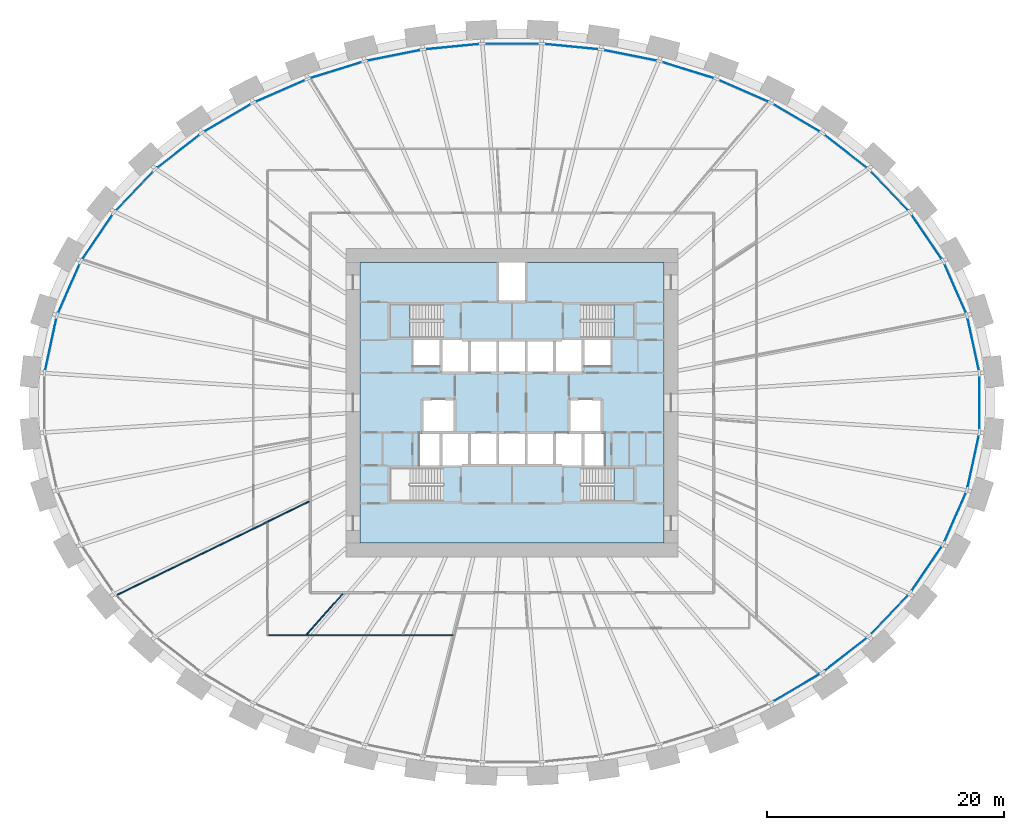
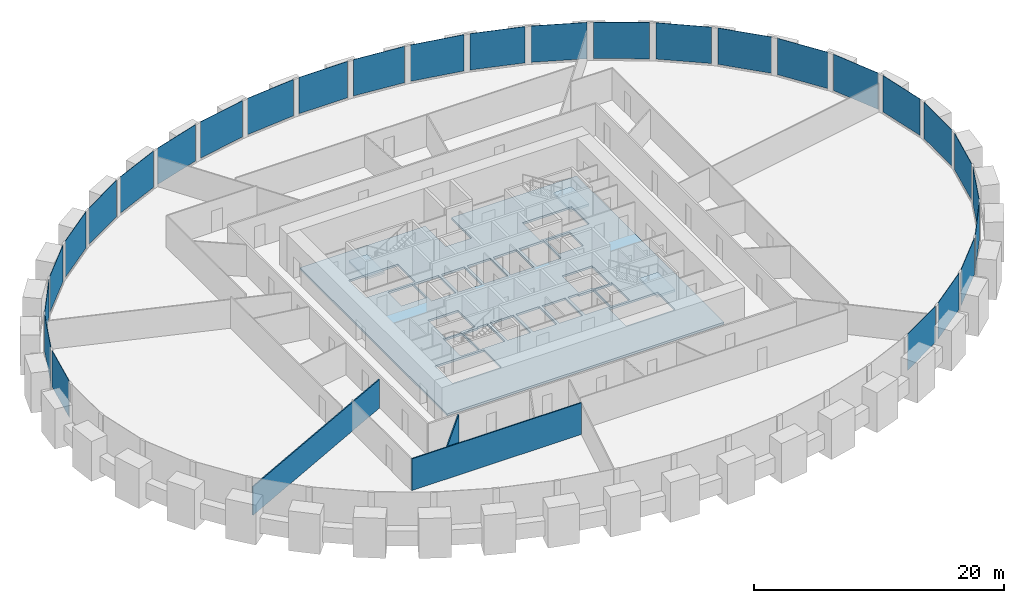
# One storey, part 5 of 11: 28 plates, 4 slabs, 3 walls, 4 elements without a shape of their own.
"""IFC4 building model written with IfcOpenShell, lengths in metres."""

import ifcopenshell
import ifcopenshell.guid

model = None  # the IFC model being written
_history = None  # IfcOwnerHistory: only IFC2X3 demands one
_inside = {}  # id of a spatial element -> (the spatial element, [elements in it])
_under = {}  # id of a project, library or spatial element -> (it, [spatial elements below it])
_declared = {}  # id of a project -> (the project, [libraries it declares])
_typed = {}  # id of a type object -> (the type object, [elements of that type])
_made_of = {}  # id of a material, layer set ... -> (it, [elements and type objects made of it])


def new_model(schema):
    """Start an empty IFC model of exactly this schema.

    Asked for "IFC4X3", IfcOpenShell would pick the latest addendum, in which some entities
    have other attributes; the version numbers below select the first issue.
    IFC2X3 requires an IfcOwnerHistory on every rooted entity: one is made here for all.
    """
    global model, _history
    if schema == "IFC4X3":
        model = ifcopenshell.file(schema_version=(4, 3, 0, 0))
    else:
        model = ifcopenshell.file(schema=schema)
    _inside.clear()
    _under.clear()
    _declared.clear()
    _typed.clear()
    _made_of.clear()
    _history = None
    if model.schema == "IFC2X3":
        org = make("IfcOrganization", Name="unknown")
        user = make(
            "IfcPersonAndOrganization",
            ThePerson=make("IfcPerson", FamilyName="unknown"),
            TheOrganization=org,
        )
        app = make(
            "IfcApplication",
            ApplicationDeveloper=org,
            Version="unknown",
            ApplicationFullName="unknown",
            ApplicationIdentifier="unknown",
        )
        _history = make(
            "IfcOwnerHistory",
            OwningUser=user,
            OwningApplication=app,
            ChangeAction="ADDED",
            CreationDate=0,
        )
    return model


def make(cls, **values):
    """One entity of the class cls with the attributes given. An attribute that is None is left unset."""
    return model.create_entity(
        cls, **{name: value for name, value in values.items() if value is not None}
    )


def rooted(cls, **values):
    """An entity with a GlobalId (a new one), such as an element, a storey or a relation."""
    return make(cls, GlobalId=ifcopenshell.guid.new(), OwnerHistory=_history, **values)


def si_unit(unit_type, name, prefix=None):
    """IfcSIUnit, for example si_unit("LENGTHUNIT", "METRE", prefix="MILLI")."""
    return make("IfcSIUnit", UnitType=unit_type, Prefix=prefix, Name=name)


def assignment(units):
    """IfcUnitAssignment: the units of a project."""
    return None if units is None else make("IfcUnitAssignment", Units=units)


def point(xyz):
    """IfcCartesianPoint."""
    return None if xyz is None else make("IfcCartesianPoint", Coordinates=xyz)


def direction(xyz):
    """IfcDirection."""
    return None if xyz is None else make("IfcDirection", DirectionRatios=xyz)


def frame(location, z_axis=None, x_axis=None):
    """IfcAxis2Placement3D, a coordinate frame: its origin and axes. An axis left out is left unset."""
    return make(
        "IfcAxis2Placement3D",
        Location=point(location),
        Axis=direction(z_axis),
        RefDirection=direction(x_axis),
    )


def frame_2d(location, x_axis=None):
    """IfcAxis2Placement2D, a coordinate frame in the plane: its origin and x axis."""
    return make(
        "IfcAxis2Placement2D", Location=point(location), RefDirection=direction(x_axis)
    )


def origin():
    """The frame at (0, 0, 0) with its axes left unset."""
    return frame((0.0, 0.0, 0.0))


def origin_2d():
    """The frame at (0, 0) in the plane with its x axis left unset."""
    return frame_2d((0.0, 0.0))


def place(relative_to, where):
    """IfcLocalPlacement: puts the frame where relative to a parent placement (None: the world)."""
    return make(
        "IfcLocalPlacement", PlacementRelTo=relative_to, RelativePlacement=where
    )


def context(
    kind, dimensions, precision=None, world=None, true_north=None, identifier=None
):
    """IfcGeometricRepresentationContext, for example the 3D "Model" context."""
    return make(
        "IfcGeometricRepresentationContext",
        ContextIdentifier=identifier,
        ContextType=kind,
        CoordinateSpaceDimension=dimensions,
        Precision=precision,
        WorldCoordinateSystem=world,
        TrueNorth=true_north,
    )


def subcontext(parent, identifier, kind, view, scale=None):
    """IfcGeometricRepresentationSubContext, for example "Body" below "Model"."""
    return make(
        "IfcGeometricRepresentationSubContext",
        ContextIdentifier=identifier,
        ContextType=kind,
        ParentContext=parent,
        TargetScale=scale,
        TargetView=view,
    )


def project(units=None, contexts=None):
    """IfcProject with its units and contexts."""
    return rooted(
        "IfcProject",
        Name="project",
        RepresentationContexts=contexts,
        UnitsInContext=assignment(units),
    )


def spatial(cls, under=None, at=None, **own):
    """A site, building, storey or space (cls), placed at a placement, below another one or the project."""
    s = rooted(cls, ObjectPlacement=at, **own)
    if under is not None:
        _under.setdefault(under.id(), (under, []))[1].append(s)
    return s


def polyline(points):
    """IfcPolyline through the points."""
    return make("IfcPolyline", Points=[point(p) for p in points])


def profile(cls, at=None, kind="AREA", **sizes):
    """A parametric profile (cls). Its sizes go by their IFC names, for example OverallWidth=200.0."""
    return make(cls, ProfileType=kind, Position=at, **sizes)


def rectangle(**sizes):
    """IfcRectangleProfileDef."""
    return profile("IfcRectangleProfileDef", **sizes)


def outline(outer, holes=None, kind="AREA"):
    """IfcArbitraryClosedProfileDef: a profile drawn as a closed curve; with holes, ...WithVoids."""
    if holes is None:
        return make("IfcArbitraryClosedProfileDef", ProfileType=kind, OuterCurve=outer)
    return make(
        "IfcArbitraryProfileDefWithVoids",
        ProfileType=kind,
        OuterCurve=outer,
        InnerCurves=holes,
    )


def extrude(swept, where, along, depth):
    """IfcExtrudedAreaSolid: the profile swept, set in the frame where, extruded along a direction by depth."""
    return make(
        "IfcExtrudedAreaSolid",
        SweptArea=swept,
        Position=where,
        ExtrudedDirection=direction(along),
        Depth=depth,
    )


def shape(context_of_items, identifier, shape_type, items):
    """IfcShapeRepresentation: the items that make up one representation, for example the "Body"."""
    return make(
        "IfcShapeRepresentation",
        ContextOfItems=context_of_items,
        RepresentationIdentifier=identifier,
        RepresentationType=shape_type,
        Items=items,
    )


def source(mapping_origin, context_of_items, identifier, shape_type, items):
    """IfcRepresentationMap: a shape defined once, which mapped items show again and again."""
    return make(
        "IfcRepresentationMap",
        MappingOrigin=mapping_origin,
        MappedRepresentation=shape(context_of_items, identifier, shape_type, items),
    )


def transform(
    local_origin,
    x_axis=None,
    y_axis=None,
    z_axis=None,
    scale=None,
    scale2=None,
    scale3=None,
    uniform=True,
):
    """IfcCartesianTransformationOperator3D, or its non-uniform kind. x_axis, y_axis, z_axis: its Axis1, 2, 3."""
    if uniform:
        return make(
            "IfcCartesianTransformationOperator3D",
            Axis1=direction(x_axis),
            Axis2=direction(y_axis),
            LocalOrigin=point(local_origin),
            Scale=scale,
            Axis3=direction(z_axis),
        )
    return make(
        "IfcCartesianTransformationOperator3DnonUniform",
        Axis1=direction(x_axis),
        Axis2=direction(y_axis),
        LocalOrigin=point(local_origin),
        Scale=scale,
        Axis3=direction(z_axis),
        Scale2=scale2,
        Scale3=scale3,
    )


def mapped(mapping_source, mapping_target):
    """IfcMappedItem: shows the shape of a source again, moved by a transform."""
    return make(
        "IfcMappedItem", MappingSource=mapping_source, MappingTarget=mapping_target
    )


def material(Name=None, Category=None):
    """IfcMaterial."""
    return make("IfcMaterial", Name=Name, Category=Category)


def layer(
    of_material, thickness, ventilated=None, Name=None, Category=None, Priority=None
):
    """IfcMaterialLayer: one layer of a wall or slab, of a material (None: an air gap)."""
    return make(
        "IfcMaterialLayer",
        Material=of_material,
        LayerThickness=thickness,
        IsVentilated=ventilated,
        Name=Name,
        Category=Category,
        Priority=Priority,
    )


def layer_set(layers, Name=None):
    """IfcMaterialLayerSet."""
    return make("IfcMaterialLayerSet", MaterialLayers=layers, LayerSetName=Name)


def made_of(thing, what):
    """Note that an element or type object is made of a material, layer set ...; save() writes the relation."""
    if what is not None:
        _made_of.setdefault(what.id(), (what, []))[1].append(thing)
    return thing


def type_object(cls, material=None, **own):
    """A type object (cls), such as IfcWallType, which elements share."""
    return made_of(rooted(cls, **own), material)


def element(
    cls,
    number,
    at=None,
    inside=None,
    cuts=None,
    type_object=None,
    material=None,
    context=None,
    identifier="Body",
    shape_type=None,
    held_by="IfcProductDefinitionShape",
    body=None,
    shapes=None,
    **own,
):
    """One element of the class cls, such as IfcWall. Its Tag is "e" and its number.

    at: its placement. inside: the storey or other place that contains it. cuts: it is an
    opening in that element (IfcRelVoidsElement). A single representation is given by context,
    identifier, shape_type and body (its items); several are given by shapes. held_by: the class
    of the entity that holds the representations. save() writes the other relations.
    """
    e = rooted(cls, Tag="e%d" % number, ObjectPlacement=at, **own)
    if body is not None:
        shapes = [shape(context, identifier, shape_type, body)]
    if shapes is not None:
        e.Representation = make(held_by, Representations=shapes)
    if inside is not None:
        _inside.setdefault(inside.id(), (inside, []))[1].append(e)
    if cuts is not None:
        rooted(
            "IfcRelVoidsElement", RelatingBuildingElement=cuts, RelatedOpeningElement=e
        )
    if type_object is not None:
        _typed.setdefault(type_object.id(), (type_object, []))[1].append(e)
    return made_of(e, material)


def aggregate(whole, parts):
    """IfcRelAggregates: a whole, such as a stair, and the parts it consists of."""
    return rooted("IfcRelAggregates", RelatingObject=whole, RelatedObjects=parts)


def save(model, path):
    """Write the relations noted so far, then the file.

    IfcRelAggregates (storeys below a building ...), IfcRelContainedInSpatialStructure (elements
    in a storey), IfcRelDefinesByType, IfcRelAssociatesMaterial and IfcRelDeclares: one each for
    every whole, place, type object, material and project.
    """
    for whole, parts in _under.values():
        aggregate(whole, parts)
    for where, things in _inside.values():
        rooted(
            "IfcRelContainedInSpatialStructure",
            RelatedElements=things,
            RelatingStructure=where,
        )
    for kind, things in _typed.values():
        rooted("IfcRelDefinesByType", RelatedObjects=things, RelatingType=kind)
    for what, things in _made_of.values():
        rooted("IfcRelAssociatesMaterial", RelatedObjects=things, RelatingMaterial=what)
    for by, libraries in _declared.values():
        rooted("IfcRelDeclares", RelatingContext=by, RelatedDefinitions=libraries)
    model.write(path)


model = new_model("IFC4")

# Units and contexts
model_context = context("Model", 3, precision=1e-05, world=origin(), true_north=direction((0.0, 1.0)))
body_context = subcontext(model_context, "Body", "Model", "MODEL_VIEW")
ifc_project = project(units=[si_unit("LENGTHUNIT", "METRE"), si_unit("AREAUNIT", "SQUARE_METRE"), si_unit("VOLUMEUNIT", "CUBIC_METRE"), si_unit("PLANEANGLEUNIT", "RADIAN"), si_unit("MASSUNIT", "GRAM", prefix="KILO")], contexts=[model_context])

# Site, building, storey
site_placement = place(None, origin())
site = spatial("IfcSite", under=ifc_project, at=site_placement, CompositionType="ELEMENT")
building_placement = place(site_placement, origin())
building = spatial("IfcBuilding", under=site, at=building_placement, Name="Embergate Tower", CompositionType="ELEMENT")
storey_placement = place(building_placement, frame((0.0, 0.0, 62.0)))
storey = spatial("IfcBuildingStorey", under=building, at=storey_placement, Name="L11", CompositionType="ELEMENT", Elevation=62.0)

# Curtain wall, plates
ifc_material_1 = material(Name="Aluminium and glass", Category="aluminium")
curtain_wall_type = type_object("IfcCurtainWallType", Name="Recessed office glazing", PredefinedType="NOTDEFINED", material=ifc_material_1)
curtain_wall_placement = place(storey_placement, origin())
curtain_wall = element("IfcCurtainWall", 1, at=curtain_wall_placement, inside=storey, type_object=curtain_wall_type, Name="Recessed office glazing ring", ObjectType="RECESSED OFFICE GLAZING", PredefinedType="USERDEFINED")
ifc_material_2 = material(Name="Triple glazing, low-emissivity coating", Category="glass")
ifc_layer_1 = layer(ifc_material_2, 0.035888671875)
ifc_layer_set_1 = layer_set([ifc_layer_1], Name="Triple glazing, low-emissivity coating")
plate_type = type_object("IfcPlateType", Name="Office glazing unit", PredefinedType="CURTAIN_PANEL", material=ifc_layer_set_1)
shared_shape_1 = source(origin(), body_context, "Body", "SweptSolid", [
    extrude(rectangle(XDim=4.453857421875, YDim=0.035888671875, at=origin_2d()), origin(), (0.0, 0.0, 1.0), 3.550048828125),
])
plate_1_placement = place(storey_placement, frame((38.87060546875, 4.916748046875, 0.14990234375), z_axis=(0.0, 0.0, 1.0), x_axis=(-0.210391566126, 0.977617199574, 0.0)))
plate_1 = element("IfcPlate", 2, at=plate_1_placement, type_object=plate_type, Name="CW panel 1.1", PredefinedType="CURTAIN_PANEL", context=body_context, shape_type="MappedRepresentation", body=[
    mapped(shared_shape_1, transform((0.0, 0.0, 0.0))),
])
plate_2_placement = place(storey_placement, frame((-38.87060546875, 4.916748046875, 0.14990234375), z_axis=(0.0, 0.0, 1.0), x_axis=(-0.210391566126, -0.977617199574, 0.0)))
plate_2 = element("IfcPlate", 3, at=plate_2_placement, type_object=plate_type, Name="CW panel 21.1", PredefinedType="CURTAIN_PANEL", context=body_context, shape_type="MappedRepresentation", body=[
    mapped(shared_shape_1, transform((0.0, 0.0, 0.0))),
])
plate_3_placement = place(storey_placement, frame((38.87060546875, -4.916748046875, 0.14990234375), z_axis=(0.0, 0.0, 1.0), x_axis=(0.210391566126, 0.977617199574, 0.0)))
plate_3 = element("IfcPlate", 4, at=plate_3_placement, type_object=plate_type, Name="CW panel 43.1", PredefinedType="CURTAIN_PANEL", context=body_context, shape_type="MappedRepresentation", body=[
    mapped(shared_shape_1, transform((0.0, 0.0, 0.0))),
])
shared_shape_2 = source(origin(), body_context, "Body", "SweptSolid", [
    extrude(rectangle(XDim=4.460693359375, YDim=0.035888671875, at=origin_2d()), origin(), (0.0, 0.0, 1.0), 3.550048828125),
])
plate_4_placement = place(storey_placement, frame((37.34716796875, 9.628662109375, 0.14990234375), z_axis=(0.0, 0.0, 1.0), x_axis=(-0.401644109346, 0.915795833921, 0.0)))
plate_4 = element("IfcPlate", 5, at=plate_4_placement, type_object=plate_type, Name="CW panel 2.1", PredefinedType="CURTAIN_PANEL", context=body_context, shape_type="MappedRepresentation", body=[
    mapped(shared_shape_2, transform((0.0, 0.0, 0.0))),
])
plate_5_placement = place(storey_placement, frame((-37.34716796875, 9.628662109375, 0.14990234375), z_axis=(0.0, 0.0, 1.0), x_axis=(-0.401644109346, -0.915795833921, 0.0)))
plate_5 = element("IfcPlate", 6, at=plate_5_placement, type_object=plate_type, Name="CW panel 20.1", PredefinedType="CURTAIN_PANEL", context=body_context, shape_type="MappedRepresentation", body=[
    mapped(shared_shape_2, transform((0.0, 0.0, 0.0))),
])
plate_6_placement = place(storey_placement, frame((37.34716796875, -9.628662109375, 0.14990234375), z_axis=(0.0, 0.0, 1.0), x_axis=(0.401644109346, 0.915795833921, 0.0)))
plate_6 = element("IfcPlate", 7, at=plate_6_placement, type_object=plate_type, Name="CW panel 42.1", PredefinedType="CURTAIN_PANEL", context=body_context, shape_type="MappedRepresentation", body=[
    mapped(shared_shape_2, transform((0.0, 0.0, 0.0))),
])
shared_shape_3 = source(origin(), body_context, "Body", "SweptSolid", [
    extrude(rectangle(XDim=4.4697265625, YDim=0.035888671875, at=origin_2d()), origin(), (0.0, 0.0, 1.0), 3.550048828125),
])
plate_7_placement = place(storey_placement, frame((34.94384765625, 13.972412109375, 0.14990234375), z_axis=(0.0, 0.0, 1.0), x_axis=(-0.562331639324, 0.826911801473, 0.0)))
plate_7 = element("IfcPlate", 8, at=plate_7_placement, type_object=plate_type, Name="CW panel 3.1", PredefinedType="CURTAIN_PANEL", context=body_context, shape_type="MappedRepresentation", body=[
    mapped(shared_shape_3, transform((0.0, 0.0, 0.0))),
])
plate_8_placement = place(storey_placement, frame((-34.94384765625, 13.972412109375, 0.14990234375), z_axis=(0.0, 0.0, 1.0), x_axis=(-0.562331639324, -0.826911801473, 0.0)))
plate_8 = element("IfcPlate", 9, at=plate_8_placement, type_object=plate_type, Name="CW panel 19.1", PredefinedType="CURTAIN_PANEL", context=body_context, shape_type="MappedRepresentation", body=[
    mapped(shared_shape_3, transform((0.0, 0.0, 0.0))),
])
plate_9_placement = place(storey_placement, frame((34.94384765625, -13.972412109375, 0.14990234375), z_axis=(0.0, 0.0, 1.0), x_axis=(0.562331639324, 0.826911801473, 0.0)))
plate_9 = element("IfcPlate", 10, at=plate_9_placement, type_object=plate_type, Name="CW panel 41.1", PredefinedType="CURTAIN_PANEL", context=body_context, shape_type="MappedRepresentation", body=[
    mapped(shared_shape_3, transform((0.0, 0.0, 0.0))),
])
shared_shape_4 = source(origin(), body_context, "Body", "SweptSolid", [
    extrude(rectangle(XDim=4.478515625, YDim=0.035888671875, at=origin_2d()), origin(), (0.0, 0.0, 1.0), 3.550048828125),
])
plate_10_placement = place(storey_placement, frame((31.816162109375, 17.84423828125, 0.14990234375), z_axis=(0.0, 0.0, 1.0), x_axis=(-0.690124942972, 0.723690239735, 0.0)))
plate_10 = element("IfcPlate", 11, at=plate_10_placement, type_object=plate_type, Name="CW panel 4.1", PredefinedType="CURTAIN_PANEL", context=body_context, shape_type="MappedRepresentation", body=[
    mapped(shared_shape_4, transform((0.0, 0.0, 0.0))),
])
plate_11_placement = place(storey_placement, frame((-31.816162109375, 17.84423828125, 0.14990234375), z_axis=(0.0, 0.0, 1.0), x_axis=(-0.690124942972, -0.723690239735, 0.0)))
plate_11 = element("IfcPlate", 12, at=plate_11_placement, type_object=plate_type, Name="CW panel 18.1", PredefinedType="CURTAIN_PANEL", context=body_context, shape_type="MappedRepresentation", body=[
    mapped(shared_shape_4, transform((0.0, 0.0, 0.0))),
])
plate_12_placement = place(storey_placement, frame((31.816162109375, -17.84423828125, 0.14990234375), z_axis=(0.0, 0.0, 1.0), x_axis=(0.690124942972, 0.723690239735, 0.0)))
plate_12 = element("IfcPlate", 13, at=plate_12_placement, type_object=plate_type, Name="CW panel 40.1", PredefinedType="CURTAIN_PANEL", context=body_context, shape_type="MappedRepresentation", body=[
    mapped(shared_shape_4, transform((0.0, 0.0, 0.0))),
])
shared_shape_5 = source(origin(), body_context, "Body", "SweptSolid", [
    extrude(rectangle(XDim=4.486083984375, YDim=0.035888671875, at=origin_2d()), origin(), (0.0, 0.0, 1.0), 3.550048828125),
])
plate_13_placement = place(storey_placement, frame((28.1181640625, 21.19287109375, 0.14990234375), z_axis=(0.0, 0.0, 1.0), x_axis=(-0.788312602312, 0.615274931259, 0.0)))
plate_13 = element("IfcPlate", 14, at=plate_13_placement, type_object=plate_type, Name="CW panel 5.1", PredefinedType="CURTAIN_PANEL", context=body_context, shape_type="MappedRepresentation", body=[
    mapped(shared_shape_5, transform((0.0, 0.0, 0.0))),
])
plate_14_placement = place(storey_placement, frame((-28.1181640625, 21.19287109375, 0.14990234375), z_axis=(0.0, 0.0, 1.0), x_axis=(-0.788312602312, -0.615274931259, 0.0)))
plate_14 = element("IfcPlate", 15, at=plate_14_placement, type_object=plate_type, Name="CW panel 17.1", PredefinedType="CURTAIN_PANEL", context=body_context, shape_type="MappedRepresentation", body=[
    mapped(shared_shape_5, transform((0.0, 0.0, 0.0))),
])
plate_15_placement = place(storey_placement, frame((28.1181640625, -21.19287109375, 0.14990234375), z_axis=(0.0, 0.0, 1.0), x_axis=(0.788312602312, 0.615274931259, 0.0)))
plate_15 = element("IfcPlate", 16, at=plate_15_placement, type_object=plate_type, Name="CW panel 39.1", PredefinedType="CURTAIN_PANEL", context=body_context, shape_type="MappedRepresentation", body=[
    mapped(shared_shape_5, transform((0.0, 0.0, 0.0))),
])
shared_shape_6 = source(origin(), body_context, "Body", "SweptSolid", [
    extrude(rectangle(XDim=4.491943359375, YDim=0.035888671875, at=origin_2d()), origin(), (0.0, 0.0, 1.0), 3.550048828125),
])
plate_16_placement = place(storey_placement, frame((23.98486328125, 24.0029296875, 0.14990234375), z_axis=(0.0, 0.0, 1.0), x_axis=(-0.86204786038, 0.506826880122, 0.0)))
plate_16 = element("IfcPlate", 17, at=plate_16_placement, type_object=plate_type, Name="CW panel 6.1", PredefinedType="CURTAIN_PANEL", context=body_context, shape_type="MappedRepresentation", body=[
    mapped(shared_shape_6, transform((0.0, 0.0, 0.0))),
])
plate_17_placement = place(storey_placement, frame((-23.98486328125, 24.0029296875, 0.14990234375), z_axis=(0.0, 0.0, 1.0), x_axis=(-0.86204786038, -0.506826880122, 0.0)))
plate_17 = element("IfcPlate", 18, at=plate_17_placement, type_object=plate_type, Name="CW panel 16.1", PredefinedType="CURTAIN_PANEL", context=body_context, shape_type="MappedRepresentation", body=[
    mapped(shared_shape_6, transform((0.0, 0.0, 0.0))),
])
plate_18_placement = place(storey_placement, frame((23.98486328125, -24.0029296875, 0.14990234375), z_axis=(0.0, 0.0, 1.0), x_axis=(0.86204786038, 0.506826880122, 0.0)))
plate_18 = element("IfcPlate", 19, at=plate_18_placement, type_object=plate_type, Name="CW panel 38.1", PredefinedType="CURTAIN_PANEL", context=body_context, shape_type="MappedRepresentation", body=[
    mapped(shared_shape_6, transform((0.0, 0.0, 0.0))),
])
shared_shape_7 = source(origin(), body_context, "Body", "SweptSolid", [
    extrude(rectangle(XDim=4.49658203125, YDim=0.035888671875, at=origin_2d()), origin(), (0.0, 0.0, 1.0), 3.550048828125),
])
plate_19_placement = place(storey_placement, frame((19.5263671875, 26.278076171875, 0.14990234375), z_axis=(0.0, 0.0, 1.0), x_axis=(-0.916232715476, 0.400646491426, 0.0)))
plate_19 = element("IfcPlate", 20, at=plate_19_placement, type_object=plate_type, Name="CW panel 7.1", PredefinedType="CURTAIN_PANEL", context=body_context, shape_type="MappedRepresentation", body=[
    mapped(shared_shape_7, transform((0.0, 0.0, 0.0))),
])
plate_20_placement = place(storey_placement, frame((-19.5263671875, 26.278076171875, 0.14990234375), z_axis=(0.0, 0.0, 1.0), x_axis=(-0.916232715476, -0.400646491426, 0.0)))
plate_20 = element("IfcPlate", 21, at=plate_20_placement, type_object=plate_type, Name="CW panel 15.1", PredefinedType="CURTAIN_PANEL", context=body_context, shape_type="MappedRepresentation", body=[
    mapped(shared_shape_7, transform((0.0, 0.0, 0.0))),
])
shared_shape_8 = source(origin(), body_context, "Body", "SweptSolid", [
    extrude(rectangle(XDim=4.5, YDim=0.035888671875, at=origin_2d()), origin(), (0.0, 0.0, 1.0), 3.550048828125),
])
plate_21_placement = place(storey_placement, frame((14.831787109375, 28.029296875, 0.14990234375), z_axis=(0.0, 0.0, 1.0), x_axis=(-0.954770141339, 0.297344879236, 0.0)))
plate_21 = element("IfcPlate", 22, at=plate_21_placement, type_object=plate_type, Name="CW panel 8.1", PredefinedType="CURTAIN_PANEL", context=body_context, shape_type="MappedRepresentation", body=[
    mapped(shared_shape_8, transform((0.0, 0.0, 0.0))),
])
plate_22_placement = place(storey_placement, frame((-14.831787109375, 28.029296875, 0.14990234375), z_axis=(0.0, 0.0, 1.0), x_axis=(-0.954770141339, -0.297344879236, 0.0)))
plate_22 = element("IfcPlate", 23, at=plate_22_placement, type_object=plate_type, Name="CW panel 14.1", PredefinedType="CURTAIN_PANEL", context=body_context, shape_type="MappedRepresentation", body=[
    mapped(shared_shape_8, transform((0.0, 0.0, 0.0))),
])
shared_shape_9 = source(origin(), body_context, "Body", "SweptSolid", [
    extrude(rectangle(XDim=4.502197265625, YDim=0.035888671875, at=origin_2d()), origin(), (0.0, 0.0, 1.0), 3.550048828125),
])
plate_23_placement = place(storey_placement, frame((9.97314453125, 29.269287109375, 0.14990234375), z_axis=(0.0, 0.0, 1.0), x_axis=(-0.980474877795, 0.196644384646, 0.0)))
plate_23 = element("IfcPlate", 24, at=plate_23_placement, type_object=plate_type, Name="CW panel 9.1", PredefinedType="CURTAIN_PANEL", context=body_context, shape_type="MappedRepresentation", body=[
    mapped(shared_shape_9, transform((0.0, 0.0, 0.0))),
])
plate_24_placement = place(storey_placement, frame((-9.97314453125, 29.269287109375, 0.14990234375), z_axis=(0.0, 0.0, 1.0), x_axis=(-0.980474877795, -0.196644384646, 0.0)))
plate_24 = element("IfcPlate", 25, at=plate_24_placement, type_object=plate_type, Name="CW panel 13.1", PredefinedType="CURTAIN_PANEL", context=body_context, shape_type="MappedRepresentation", body=[
    mapped(shared_shape_9, transform((0.0, 0.0, 0.0))),
])
shared_shape_10 = source(origin(), body_context, "Body", "SweptSolid", [
    extrude(rectangle(XDim=4.50341796875, YDim=0.035888671875, at=origin_2d()), origin(), (0.0, 0.0, 1.0), 3.550048828125),
])
plate_25_placement = place(storey_placement, frame((5.01171875, 30.009033203125, 0.14990234375), z_axis=(0.0, 0.0, 1.0), x_axis=(-0.995203014042, 0.097831287645, 0.0)))
plate_25 = element("IfcPlate", 26, at=plate_25_placement, type_object=plate_type, Name="CW panel 10.1", PredefinedType="CURTAIN_PANEL", context=body_context, shape_type="MappedRepresentation", body=[
    mapped(shared_shape_10, transform((0.0, 0.0, 0.0))),
])
plate_26_placement = place(storey_placement, frame((-5.01171875, 30.009033203125, 0.14990234375), z_axis=(0.0, 0.0, 1.0), x_axis=(-0.995203014042, -0.097831287645, 0.0)))
plate_26 = element("IfcPlate", 27, at=plate_26_placement, type_object=plate_type, Name="CW panel 12.1", PredefinedType="CURTAIN_PANEL", context=body_context, shape_type="MappedRepresentation", body=[
    mapped(shared_shape_10, transform((0.0, 0.0, 0.0))),
])
shared_shape_11 = source(origin(), body_context, "Body", "SweptSolid", [
    extrude(rectangle(XDim=4.50390625, YDim=0.035888671875, at=origin_2d()), origin(), (0.0, 0.0, 1.0), 3.550048828125),
])
plate_27_placement = place(storey_placement, frame((0.0, 30.254638671875, 0.14990234375), z_axis=(0.0, 0.0, 1.0), x_axis=(-1.0, 0.0, 0.0)))
plate_27 = element("IfcPlate", 28, at=plate_27_placement, type_object=plate_type, Name="CW panel 11.1", PredefinedType="CURTAIN_PANEL", context=body_context, shape_type="MappedRepresentation", body=[
    mapped(shared_shape_11, transform((0.0, 0.0, 0.0))),
])
shared_shape_12 = source(origin(), body_context, "Body", "SweptSolid", [
    extrude(rectangle(XDim=4.451171875, YDim=0.035888671875, at=origin_2d()), origin(), (0.0, 0.0, 1.0), 3.550048828125),
])
plate_28_placement = place(storey_placement, frame((39.393798828125, 0.0, 0.14990234375), z_axis=(0.0, 0.0, 1.0), x_axis=(0.0, 1.0, 0.0)))
plate_28 = element("IfcPlate", 29, at=plate_28_placement, type_object=plate_type, Name="CW panel 44.1", PredefinedType="CURTAIN_PANEL", context=body_context, shape_type="MappedRepresentation", body=[
    mapped(shared_shape_12, transform((0.0, 0.0, 0.0))),
])
aggregate(curtain_wall, [plate_1, plate_4, plate_7, plate_10, plate_13, plate_16, plate_19, plate_21, plate_23, plate_25, plate_27, plate_26, plate_24, plate_22, plate_20, plate_17, plate_14, plate_11, plate_8, plate_5, plate_2, plate_18, plate_15, plate_12, plate_9, plate_6, plate_3, plate_28])

# Stair, slab
ifc_material_3 = material(Name="Exit stair")
stair_type = type_object("IfcStairType", Name="Exit stair", PredefinedType="HALF_TURN_STAIR", material=ifc_material_3)
stair_1_placement = place(storey_placement, origin())
stair_1 = element("IfcStair", 30, at=stair_1_placement, inside=storey, type_object=stair_type, Name="L11 Exit stair 1", PredefinedType="HALF_TURN_STAIR")
ifc_material_4 = material(Name="Concrete C40", Category="concrete")
ifc_layer_2 = layer(ifc_material_4, 0.199951171875)
ifc_layer_set_2 = layer_set([ifc_layer_2], Name="Concrete C40")
slab_type_1 = type_object("IfcSlabType", Name="Stair landing reinforced concrete", PredefinedType="LANDING", material=ifc_layer_set_2)
shared_shape_13 = source(origin(), body_context, "Body", "SweptSolid", [
    extrude(outline(polyline([(0.0, 0.0), (1.68994140625, 0.0), (1.68994140625, 2.800048828125), (0.0, 2.800048828125), (0.0, 0.0)])), origin(), (0.0, 0.0, 1.0), 0.199951171875),
])
slab_1_placement = place(storey_placement, frame((-10.300048828125, 5.5, 1.75)))
slab_1 = element("IfcSlab", 31, at=slab_1_placement, type_object=slab_type_1, Name="ST1 landing 1", PredefinedType="LANDING", context=body_context, shape_type="MappedRepresentation", body=[
    mapped(shared_shape_13, transform((0.0, 0.0, 0.0))),
])
aggregate(stair_1, [slab_1])

stair_2_placement = place(storey_placement, origin())
stair_2 = element("IfcStair", 32, at=stair_2_placement, inside=storey, type_object=stair_type, Name="L11 Exit stair 2", PredefinedType="HALF_TURN_STAIR")
slab_2_placement = place(storey_placement, frame((8.610107421875, 5.5, 1.75)))
slab_2 = element("IfcSlab", 33, at=slab_2_placement, type_object=slab_type_1, Name="ST2 landing 1", PredefinedType="LANDING", context=body_context, shape_type="MappedRepresentation", body=[
    mapped(shared_shape_13, transform((0.0, 0.0, 0.0))),
])
aggregate(stair_2, [slab_2])

stair_3_placement = place(storey_placement, origin())
stair_3 = element("IfcStair", 34, at=stair_3_placement, inside=storey, type_object=stair_type, Name="L11 Exit stair 4", PredefinedType="HALF_TURN_STAIR")
slab_3_placement = place(storey_placement, frame((8.610107421875, -8.300048828125, 1.75)))
slab_3 = element("IfcSlab", 35, at=slab_3_placement, type_object=slab_type_1, Name="ST4 landing 1", PredefinedType="LANDING", context=body_context, shape_type="MappedRepresentation", body=[
    mapped(shared_shape_13, transform((0.0, 0.0, 0.0))),
])
aggregate(stair_3, [slab_3])

# Slab
ifc_layer_3 = layer(ifc_material_4, 0.199951171875)
ifc_layer_set_3 = layer_set([ifc_layer_3], Name="Concrete C40")
slab_type_2 = type_object("IfcSlabType", Name="Core floor slab 200 reinforced concrete", PredefinedType="FLOOR", material=ifc_layer_set_3)
shared_shape_14 = source(origin(), body_context, "Body", "SweptSolid", [
    extrude(outline(polyline([(0.0, 0.0), (25.60009765625, 0.0), (25.60009765625, 23.60009765625), (14.0, 23.60009765625), (14.0, 20.300048828125), (11.60009765625, 20.300048828125), (11.60009765625, 23.60009765625), (0.0, 23.60009765625), (0.0, 0.0)]), holes=[polyline([(2.5, 3.5), (2.5, 6.300048828125), (7.0400390625, 6.300048828125), (7.0400390625, 3.5), (2.5, 3.5)]), polyline([(18.56005859375, 3.5), (18.56005859375, 6.300048828125), (23.10009765625, 6.300048828125), (23.10009765625, 3.5), (18.56005859375, 3.5)]), polyline([(5.0, 6.5), (5.0, 9.300048828125), (5.074951171875, 9.300048828125), (5.074951171875, 9.175048828125), (6.675048828125, 9.175048828125), (6.675048828125, 6.5), (5.0, 6.5)]), polyline([(6.800048828125, 6.5), (6.800048828125, 9.175048828125), (8.125, 9.175048828125), (8.125, 9.300048828125), (9.074951171875, 9.300048828125), (9.074951171875, 6.5), (6.800048828125, 6.5)]), polyline([(9.324951171875, 6.5), (9.324951171875, 9.300048828125), (11.47509765625, 9.300048828125), (11.47509765625, 6.5), (9.324951171875, 6.5)]), polyline([(11.72509765625, 6.5), (11.72509765625, 9.300048828125), (13.875, 9.300048828125), (13.875, 6.5), (11.72509765625, 6.5)]), polyline([(14.125, 6.5), (14.125, 9.300048828125), (16.275146484375, 9.300048828125), (16.275146484375, 6.5), (14.125, 6.5)]), polyline([(16.525146484375, 6.5), (16.525146484375, 9.300048828125), (17.47509765625, 9.300048828125), (17.47509765625, 9.175048828125), (18.800048828125, 9.175048828125), (18.800048828125, 6.5), (16.525146484375, 6.5)]), polyline([(18.925048828125, 6.5), (18.925048828125, 9.175048828125), (20.525146484375, 9.175048828125), (20.525146484375, 9.300048828125), (20.60009765625, 9.300048828125), (20.60009765625, 6.5), (18.925048828125, 6.5)]), polyline([(5.199951171875, 9.300048828125), (5.199951171875, 12.10009765625), (8.0, 12.10009765625), (8.0, 9.425048828125), (6.675048828125, 9.425048828125), (6.675048828125, 9.300048828125), (5.199951171875, 9.300048828125)]), polyline([(18.925048828125, 9.300048828125), (18.925048828125, 9.425048828125), (17.60009765625, 9.425048828125), (17.60009765625, 12.10009765625), (20.400146484375, 12.10009765625), (20.400146484375, 9.300048828125), (18.925048828125, 9.300048828125)]), polyline([(6.800048828125, 14.300048828125), (6.800048828125, 17.10009765625), (9.074951171875, 17.10009765625), (9.074951171875, 14.300048828125), (6.800048828125, 14.300048828125)]), polyline([(9.324951171875, 14.300048828125), (9.324951171875, 17.10009765625), (11.47509765625, 17.10009765625), (11.47509765625, 14.300048828125), (9.324951171875, 14.300048828125)]), polyline([(11.72509765625, 14.300048828125), (11.72509765625, 17.10009765625), (13.875, 17.10009765625), (13.875, 14.300048828125), (11.72509765625, 14.300048828125)]), polyline([(14.125, 14.300048828125), (14.125, 17.10009765625), (16.275146484375, 17.10009765625), (16.275146484375, 14.300048828125), (14.125, 14.300048828125)]), polyline([(16.525146484375, 14.300048828125), (16.525146484375, 17.10009765625), (18.800048828125, 17.10009765625), (18.800048828125, 14.300048828125), (16.525146484375, 14.300048828125)]), polyline([(4.400146484375, 14.900146484375), (4.400146484375, 17.10009765625), (6.675048828125, 17.10009765625), (6.675048828125, 14.900146484375), (4.400146484375, 14.900146484375)]), polyline([(18.925048828125, 14.900146484375), (18.925048828125, 17.10009765625), (21.199951171875, 17.10009765625), (21.199951171875, 14.900146484375), (18.925048828125, 14.900146484375)]), polyline([(2.5, 17.300048828125), (2.5, 20.10009765625), (7.0400390625, 20.10009765625), (7.0400390625, 17.300048828125), (2.5, 17.300048828125)]), polyline([(18.56005859375, 17.300048828125), (18.56005859375, 20.10009765625), (23.10009765625, 20.10009765625), (23.10009765625, 17.300048828125), (18.56005859375, 17.300048828125)])]), origin(), (0.0, 0.0, 1.0), 0.199951171875),
])
slab_4_placement = place(storey_placement, frame((-12.800048828125, -11.800048828125, -0.199951171875)))
element("IfcSlab", 36, at=slab_4_placement, inside=storey, type_object=slab_type_2, Name="Core floor slab", PredefinedType="FLOOR", context=body_context, shape_type="MappedRepresentation", body=[
    mapped(shared_shape_14, transform((0.0, 0.0, 0.0))),
])

# Walls
ifc_material_5 = material(Name="Partition dry-lined 100")
ifc_layer_4 = layer(ifc_material_5, 0.10009765625)
ifc_layer_set_4 = layer_set([ifc_layer_4], Name="Partition dry-lined 100")
wall_type = type_object("IfcWallType", Name="Partition dry-lined 100", PredefinedType="PARTITIONING", material=ifc_layer_set_4)
shared_shape_15 = source(origin(), body_context, "Body", "SweptSolid", [
    extrude(rectangle(XDim=4.554443359375, YDim=0.10009765625, at=frame_2d((2.27734375, 0.0))), origin(), (0.0, 0.0, 1.0), 3.10009765625),
])
wall_1_placement = place(storey_placement, frame((-14.27001953125, -16.10791015625, 0.0), z_axis=(0.0, 0.0, 1.0), x_axis=(-0.663091888953, -0.748538006252, 0.0)))
element("IfcWall", 37, at=wall_1_placement, inside=storey, type_object=wall_type, Name="IP-1 wall", PredefinedType="PARTITIONING", context=body_context, shape_type="MappedRepresentation", body=[
    mapped(shared_shape_15, transform((0.0, 0.0, 0.0))),
])
shared_shape_16 = source(origin(), body_context, "Body", "SweptSolid", [
    extrude(rectangle(XDim=15.666015625, YDim=0.10009765625, at=frame_2d((7.8330078125, 0.0))), origin(), (0.0, 0.0, 1.0), 3.10009765625),
])
wall_2_placement = place(storey_placement, frame((-4.93408203125, -19.60009765625, 0.0), z_axis=(0.0, 0.0, 1.0), x_axis=(-1.0, 0.0, 0.0)))
element("IfcWall", 38, at=wall_2_placement, inside=storey, type_object=wall_type, Name="IP-1 wall", PredefinedType="PARTITIONING", context=body_context, shape_type="MappedRepresentation", body=[
    mapped(shared_shape_16, transform((0.0, 0.0, 0.0))),
])
shared_shape_17 = source(origin(), body_context, "Body", "SweptSolid", [
    extrude(rectangle(XDim=18.080078125, YDim=0.10009765625, at=frame_2d((9.0400390625, 0.0))), origin(), (0.0, 0.0, 1.0), 2.800048828125),
])
wall_3_placement = place(storey_placement, frame((-33.35302734375, -16.238037109375, 0.0), z_axis=(0.0, 0.0, 1.0), x_axis=(0.899111298588, 0.43772008493, 0.0)))
element("IfcWall", 39, at=wall_3_placement, inside=storey, type_object=wall_type, Name="IP-1 wall", PredefinedType="PARTITIONING", context=body_context, shape_type="MappedRepresentation", body=[
    mapped(shared_shape_17, transform((0.0, 0.0, 0.0))),
])

save(model, "model.ifc")
